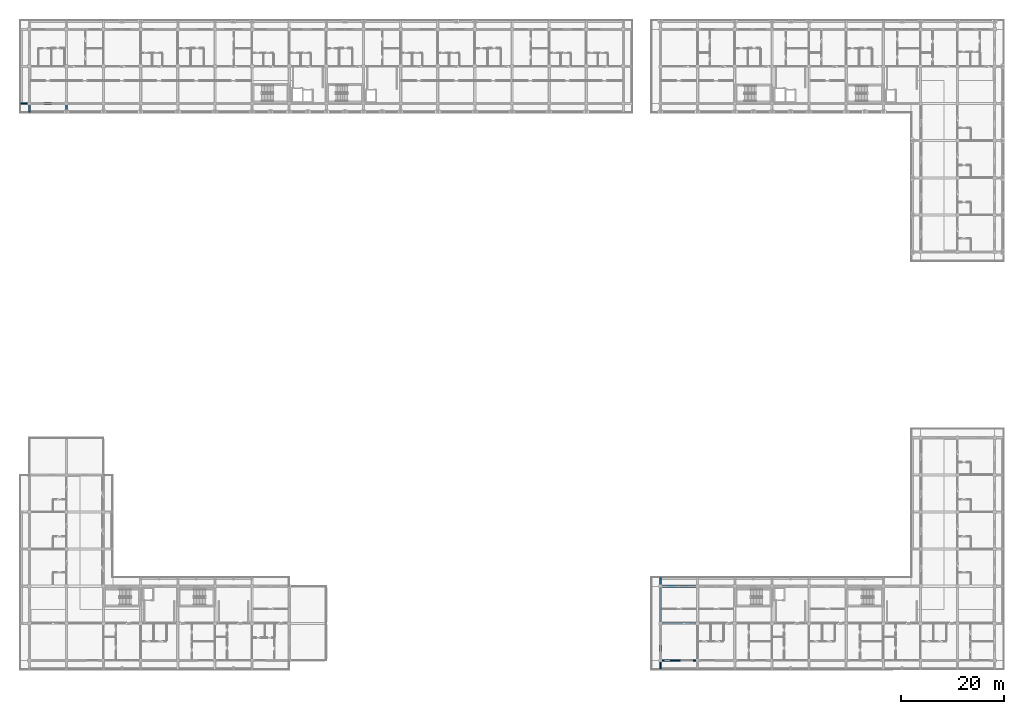
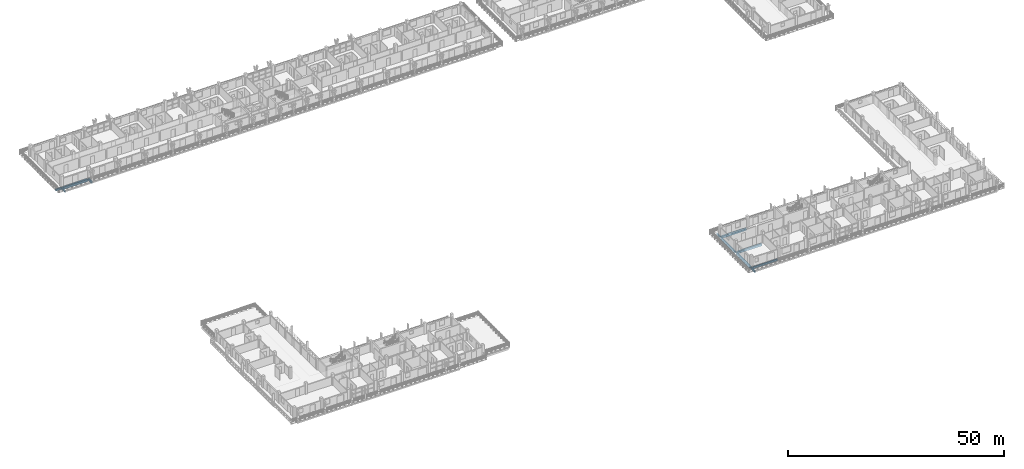
# One storey, part 10 of 78: 11 beams.
"""IFC4 building model written with IfcOpenShell, lengths in metres."""

import ifcopenshell
import ifcopenshell.guid

model = None  # the IFC model being written
_history = None  # IfcOwnerHistory: only IFC2X3 demands one
_inside = {}  # id of a spatial element -> (the spatial element, [elements in it])
_under = {}  # id of a project, library or spatial element -> (it, [spatial elements below it])
_declared = {}  # id of a project -> (the project, [libraries it declares])
_typed = {}  # id of a type object -> (the type object, [elements of that type])
_made_of = {}  # id of a material, layer set ... -> (it, [elements and type objects made of it])


def new_model(schema):
    """Start an empty IFC model of exactly this schema.

    Asked for "IFC4X3", IfcOpenShell would pick the latest addendum, in which some entities
    have other attributes; the version numbers below select the first issue.
    IFC2X3 requires an IfcOwnerHistory on every rooted entity: one is made here for all.
    """
    global model, _history
    if schema == "IFC4X3":
        model = ifcopenshell.file(schema_version=(4, 3, 0, 0))
    else:
        model = ifcopenshell.file(schema=schema)
    _inside.clear()
    _under.clear()
    _declared.clear()
    _typed.clear()
    _made_of.clear()
    _history = None
    if model.schema == "IFC2X3":
        org = make("IfcOrganization", Name="unknown")
        user = make(
            "IfcPersonAndOrganization",
            ThePerson=make("IfcPerson", FamilyName="unknown"),
            TheOrganization=org,
        )
        app = make(
            "IfcApplication",
            ApplicationDeveloper=org,
            Version="unknown",
            ApplicationFullName="unknown",
            ApplicationIdentifier="unknown",
        )
        _history = make(
            "IfcOwnerHistory",
            OwningUser=user,
            OwningApplication=app,
            ChangeAction="ADDED",
            CreationDate=0,
        )
    return model


def make(cls, **values):
    """One entity of the class cls with the attributes given. An attribute that is None is left unset."""
    return model.create_entity(
        cls, **{name: value for name, value in values.items() if value is not None}
    )


def rooted(cls, **values):
    """An entity with a GlobalId (a new one), such as an element, a storey or a relation."""
    return make(cls, GlobalId=ifcopenshell.guid.new(), OwnerHistory=_history, **values)


def si_unit(unit_type, name, prefix=None):
    """IfcSIUnit, for example si_unit("LENGTHUNIT", "METRE", prefix="MILLI")."""
    return make("IfcSIUnit", UnitType=unit_type, Prefix=prefix, Name=name)


def assignment(units):
    """IfcUnitAssignment: the units of a project."""
    return None if units is None else make("IfcUnitAssignment", Units=units)


def point(xyz):
    """IfcCartesianPoint."""
    return None if xyz is None else make("IfcCartesianPoint", Coordinates=xyz)


def direction(xyz):
    """IfcDirection."""
    return None if xyz is None else make("IfcDirection", DirectionRatios=xyz)


def frame(location, z_axis=None, x_axis=None):
    """IfcAxis2Placement3D, a coordinate frame: its origin and axes. An axis left out is left unset."""
    return make(
        "IfcAxis2Placement3D",
        Location=point(location),
        Axis=direction(z_axis),
        RefDirection=direction(x_axis),
    )


def frame_2d(location, x_axis=None):
    """IfcAxis2Placement2D, a coordinate frame in the plane: its origin and x axis."""
    return make(
        "IfcAxis2Placement2D", Location=point(location), RefDirection=direction(x_axis)
    )


def origin():
    """The frame at (0, 0, 0) with its axes left unset."""
    return frame((0.0, 0.0, 0.0))


def origin_2d():
    """The frame at (0, 0) in the plane with its x axis left unset."""
    return frame_2d((0.0, 0.0))


def place(relative_to, where):
    """IfcLocalPlacement: puts the frame where relative to a parent placement (None: the world)."""
    return make(
        "IfcLocalPlacement", PlacementRelTo=relative_to, RelativePlacement=where
    )


def context(
    kind, dimensions, precision=None, world=None, true_north=None, identifier=None
):
    """IfcGeometricRepresentationContext, for example the 3D "Model" context."""
    return make(
        "IfcGeometricRepresentationContext",
        ContextIdentifier=identifier,
        ContextType=kind,
        CoordinateSpaceDimension=dimensions,
        Precision=precision,
        WorldCoordinateSystem=world,
        TrueNorth=true_north,
    )


def subcontext(parent, identifier, kind, view, scale=None):
    """IfcGeometricRepresentationSubContext, for example "Body" below "Model"."""
    return make(
        "IfcGeometricRepresentationSubContext",
        ContextIdentifier=identifier,
        ContextType=kind,
        ParentContext=parent,
        TargetScale=scale,
        TargetView=view,
    )


def project(units=None, contexts=None):
    """IfcProject with its units and contexts."""
    return rooted(
        "IfcProject",
        Name="project",
        RepresentationContexts=contexts,
        UnitsInContext=assignment(units),
    )


def spatial(cls, under=None, at=None, **own):
    """A site, building, storey or space (cls), placed at a placement, below another one or the project."""
    s = rooted(cls, ObjectPlacement=at, **own)
    if under is not None:
        _under.setdefault(under.id(), (under, []))[1].append(s)
    return s


def profile(cls, at=None, kind="AREA", **sizes):
    """A parametric profile (cls). Its sizes go by their IFC names, for example OverallWidth=200.0."""
    return make(cls, ProfileType=kind, Position=at, **sizes)


def rectangle(**sizes):
    """IfcRectangleProfileDef."""
    return profile("IfcRectangleProfileDef", **sizes)


def extrude(swept, where, along, depth):
    """IfcExtrudedAreaSolid: the profile swept, set in the frame where, extruded along a direction by depth."""
    return make(
        "IfcExtrudedAreaSolid",
        SweptArea=swept,
        Position=where,
        ExtrudedDirection=direction(along),
        Depth=depth,
    )


def shape(context_of_items, identifier, shape_type, items):
    """IfcShapeRepresentation: the items that make up one representation, for example the "Body"."""
    return make(
        "IfcShapeRepresentation",
        ContextOfItems=context_of_items,
        RepresentationIdentifier=identifier,
        RepresentationType=shape_type,
        Items=items,
    )


def material(Name=None, Category=None):
    """IfcMaterial."""
    return make("IfcMaterial", Name=Name, Category=Category)


def material_profile(
    of_material, cross_section, Name=None, Category=None, Priority=None
):
    """IfcMaterialProfile: a cross section and its material."""
    return make(
        "IfcMaterialProfile",
        Name=Name,
        Material=of_material,
        Profile=cross_section,
        Priority=Priority,
        Category=Category,
    )


def profile_set(profiles, Name=None, composite=None):
    """IfcMaterialProfileSet."""
    return make(
        "IfcMaterialProfileSet",
        Name=Name,
        MaterialProfiles=profiles,
        CompositeProfile=composite,
    )


def made_of(thing, what):
    """Note that an element or type object is made of a material, layer set ...; save() writes the relation."""
    if what is not None:
        _made_of.setdefault(what.id(), (what, []))[1].append(thing)
    return thing


def type_object(cls, material=None, **own):
    """A type object (cls), such as IfcWallType, which elements share."""
    return made_of(rooted(cls, **own), material)


def element(
    cls,
    number,
    at=None,
    inside=None,
    cuts=None,
    type_object=None,
    material=None,
    context=None,
    identifier="Body",
    shape_type=None,
    held_by="IfcProductDefinitionShape",
    body=None,
    shapes=None,
    **own,
):
    """One element of the class cls, such as IfcWall. Its Tag is "e" and its number.

    at: its placement. inside: the storey or other place that contains it. cuts: it is an
    opening in that element (IfcRelVoidsElement). A single representation is given by context,
    identifier, shape_type and body (its items); several are given by shapes. held_by: the class
    of the entity that holds the representations. save() writes the other relations.
    """
    e = rooted(cls, Tag="e%d" % number, ObjectPlacement=at, **own)
    if body is not None:
        shapes = [shape(context, identifier, shape_type, body)]
    if shapes is not None:
        e.Representation = make(held_by, Representations=shapes)
    if inside is not None:
        _inside.setdefault(inside.id(), (inside, []))[1].append(e)
    if cuts is not None:
        rooted(
            "IfcRelVoidsElement", RelatingBuildingElement=cuts, RelatedOpeningElement=e
        )
    if type_object is not None:
        _typed.setdefault(type_object.id(), (type_object, []))[1].append(e)
    return made_of(e, material)


def aggregate(whole, parts):
    """IfcRelAggregates: a whole, such as a stair, and the parts it consists of."""
    return rooted("IfcRelAggregates", RelatingObject=whole, RelatedObjects=parts)


def save(model, path):
    """Write the relations noted so far, then the file.

    IfcRelAggregates (storeys below a building ...), IfcRelContainedInSpatialStructure (elements
    in a storey), IfcRelDefinesByType, IfcRelAssociatesMaterial and IfcRelDeclares: one each for
    every whole, place, type object, material and project.
    """
    for whole, parts in _under.values():
        aggregate(whole, parts)
    for where, things in _inside.values():
        rooted(
            "IfcRelContainedInSpatialStructure",
            RelatedElements=things,
            RelatingStructure=where,
        )
    for kind, things in _typed.values():
        rooted("IfcRelDefinesByType", RelatedObjects=things, RelatingType=kind)
    for what, things in _made_of.values():
        rooted("IfcRelAssociatesMaterial", RelatedObjects=things, RelatingMaterial=what)
    for by, libraries in _declared.values():
        rooted("IfcRelDeclares", RelatingContext=by, RelatedDefinitions=libraries)
    model.write(path)


model = new_model("IFC4")

# Units and contexts
model_context = context("Model", 3, precision=1e-05, world=origin(), true_north=direction((0.0, 1.0)))
body_context = subcontext(model_context, "Body", "Model", "MODEL_VIEW")
ifc_project = project(units=[si_unit("LENGTHUNIT", "METRE"), si_unit("AREAUNIT", "SQUARE_METRE"), si_unit("VOLUMEUNIT", "CUBIC_METRE"), si_unit("PLANEANGLEUNIT", "RADIAN"), si_unit("MASSUNIT", "GRAM", prefix="KILO")], contexts=[model_context])

# Site, building, storey
site_placement = place(None, origin())
site = spatial("IfcSite", under=ifc_project, at=site_placement, CompositionType="ELEMENT")
building_placement = place(site_placement, origin())
building = spatial("IfcBuilding", under=site, at=building_placement, Name="Suanplinth Sawtooth Commons", CompositionType="ELEMENT")
storey_placement = place(building_placement, frame((0.0, 0.0, 15.39990234375)))
storey = spatial("IfcBuildingStorey", under=building, at=storey_placement, Name="L04", CompositionType="ELEMENT", Elevation=15.39990234375)

# Beams
ifc_material = material(Name="Precast concrete C40/50", Category="concrete")
ifc_material_profile_1 = material_profile(ifc_material, rectangle(XDim=0.449951171875, YDim=0.64990234375, at=origin_2d()), Name="PC-GDR 450x650")
ifc_profile_set_1 = profile_set([ifc_material_profile_1], Name="Precast concrete C40/50")
beam_type_1 = type_object("IfcBeamType", Name="B-04", PredefinedType="USERDEFINED", material=ifc_profile_set_1)
beam_1_placement = place(storey_placement, frame((0.324951171875, 108.0, -0.544921875), z_axis=(1.0, 0.0, 0.0), x_axis=(0.0, 1.0, 0.0)))
element("IfcBeam", 1, at=beam_1_placement, inside=storey, type_object=beam_type_1, Name="BMX-L04-A-0-15", ObjectType="GIRDER", PredefinedType="USERDEFINED", context=body_context, shape_type="SweptSolid", body=[
    extrude(rectangle(XDim=0.449951171875, YDim=0.64990234375, at=origin_2d()), origin(), (0.0, 0.0, 1.0), 6.550048828125),
])
ifc_material_profile_2 = material_profile(ifc_material, rectangle(XDim=0.39990234375, YDim=0.60009765625, at=origin_2d()), Name="PC-GDR 400x600")
ifc_profile_set_2 = profile_set([ifc_material_profile_2], Name="Precast concrete C40/50")
beam_type_2 = type_object("IfcBeamType", Name="B-05", PredefinedType="USERDEFINED", material=ifc_profile_set_2)
for number, where, z_axis, x_axis, name in (
    (2, (122.699951171875, 7.199951171875, -0.52001953125), (1.0, 0.0, 0.0), (0.0, 1.0, 0.0), "BMX-L04-C-17-1"),
    (3, (122.699951171875, 14.39990234375, -0.52001953125), (1.0, 0.0, 0.0), (0.0, 1.0, 0.0), "BMX-L04-C-17-2"),
):
    element("IfcBeam", number, at=place(storey_placement, frame(where, z_axis=z_axis, x_axis=x_axis)), inside=storey, type_object=beam_type_2, Name=name, ObjectType="GIRDER", PredefinedType="USERDEFINED", context=body_context, shape_type="SweptSolid", body=[
        extrude(rectangle(XDim=0.39990234375, YDim=0.60009765625, at=origin_2d()), origin(), (0.0, 0.0, 1.0), 6.60009765625),
    ])
ifc_material_profile_3 = material_profile(ifc_material, rectangle(XDim=0.35009765625, YDim=0.550048828125, at=origin_2d()), Name="PC-BM 350x550")
ifc_profile_set_3 = profile_set([ifc_material_profile_3], Name="Precast concrete C40/50")
beam_type_3 = type_object("IfcBeamType", Name="B-06", PredefinedType="BEAM", material=ifc_profile_set_3)
beam_2_placement = place(storey_placement, frame((122.39990234375, 0.300048828125, -0.494873046875), z_axis=(0.0, 1.0, 0.0), x_axis=(-1.0, 0.0, 0.0)))
element("IfcBeam", 4, at=beam_2_placement, inside=storey, type_object=beam_type_3, Name="BMY-L04-C-17-0", PredefinedType="BEAM", context=body_context, shape_type="SweptSolid", body=[
    extrude(rectangle(XDim=0.35009765625, YDim=0.550048828125, at=origin_2d()), origin(), (0.0, 0.0, 1.0), 6.599853515625),
])
beam_3_placement = place(storey_placement, frame((122.39990234375, 7.5, -0.494873046875), z_axis=(0.0, 1.0, 0.0), x_axis=(-1.0, 0.0, 0.0)))
element("IfcBeam", 5, at=beam_3_placement, inside=storey, type_object=beam_type_3, Name="BMY-L04-C-17-1", PredefinedType="BEAM", context=body_context, shape_type="SweptSolid", body=[
    extrude(rectangle(XDim=0.35009765625, YDim=0.550048828125, at=origin_2d()), origin(), (0.0, 0.0, 1.0), 6.60009765625),
])
ifc_material_profile_4 = material_profile(ifc_material, rectangle(XDim=0.300048828125, YDim=0.5, at=origin_2d()), Name="PC-BM 300x500")
ifc_profile_set_4 = profile_set([ifc_material_profile_4], Name="Precast concrete C40/50")
beam_type_4 = type_object("IfcBeamType", Name="B-07", PredefinedType="BEAM", material=ifc_profile_set_4)
for number, where, z_axis, x_axis, name in (
    (6, (0.0, 108.0, -0.429931640625), (0.0, -1.0, 0.0), (1.0, 0.0, 0.0), "Balcony Outrigger L04-A-S-0"),
    (7, (7.199951171875, 108.0, -0.429931640625), (0.0, -1.0, 0.0), (1.0, 0.0, 0.0), "Balcony Outrigger L04-A-S-1"),
    (8, (0.0, 108.0, -0.429931640625), (-1.0, 0.0, 0.0), (0.0, -1.0, 0.0), "Balcony Outrigger L04-A-W-15"),
    (9, (122.39990234375, 0.0, -0.429931640625), (0.0, -1.0, 0.0), (1.0, 0.0, 0.0), "Balcony Outrigger L04-C-S-17"),
):
    element("IfcBeam", number, at=place(storey_placement, frame(where, z_axis=z_axis, x_axis=x_axis)), inside=storey, type_object=beam_type_4, Name=name, PredefinedType="BEAM", context=body_context, shape_type="SweptSolid", body=[
        extrude(rectangle(XDim=0.300048828125, YDim=0.5, at=origin_2d()), origin(), (0.0, 0.0, 1.0), 1.639892578125),
    ])
beam_4_placement = place(storey_placement, frame((122.39990234375, 14.39990234375, -0.4248046875), z_axis=(0.0, 1.0, 0.0), x_axis=(-1.0, 0.0, 0.0)))
element("IfcBeam", 10, at=beam_4_placement, inside=storey, type_object=beam_type_4, Name="Balcony Outrigger L04-C-NC-17", PredefinedType="BEAM", context=body_context, shape_type="SweptSolid", body=[
    extrude(rectangle(XDim=0.300048828125, YDim=0.5, at=origin_2d()), origin(), (0.0, 0.0, 1.0), 1.64013671875),
])
ifc_material_profile_5 = material_profile(ifc_material, rectangle(XDim=0.280029296875, YDim=0.52001953125, at=origin_2d()), Name="PC-SP 280x520")
ifc_profile_set_5 = profile_set([ifc_material_profile_5], Name="Precast concrete C40/50")
beam_type_5 = type_object("IfcBeamType", Name="B-08", PredefinedType="SPANDREL", material=ifc_profile_set_5)
beam_5_placement = place(storey_placement, frame((122.699951171875, 0.0, -0.47998046875), z_axis=(1.0, 0.0, 0.0), x_axis=(0.0, 1.0, 0.0)))
element("IfcBeam", 11, at=beam_5_placement, inside=storey, type_object=beam_type_5, Name="BMX-L04-C-17-0", PredefinedType="SPANDREL", context=body_context, shape_type="SweptSolid", body=[
    extrude(rectangle(XDim=0.280029296875, YDim=0.52001953125, at=origin_2d()), origin(), (0.0, 0.0, 1.0), 6.60009765625),
])

save(model, "model.ifc")
